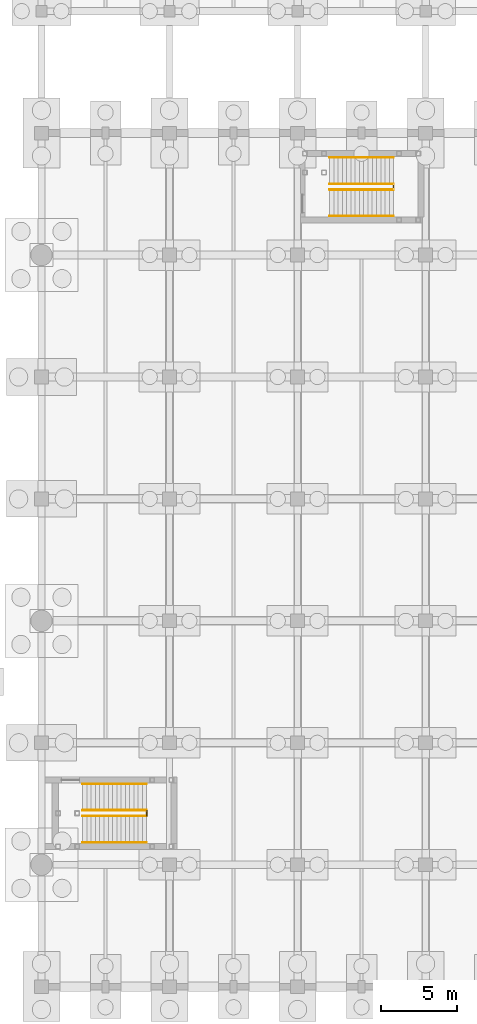
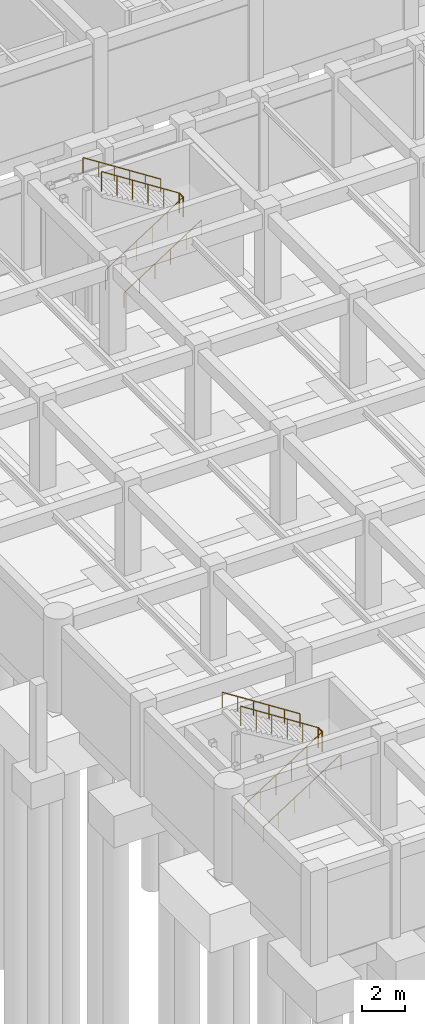
# One storey, part 49 of 56: 10 railings.
"""IFC4 building model written with IfcOpenShell, lengths in metres."""

from ifc_helpers import new_model, si_unit, direction, frame, origin, origin_2d, place, context, subcontext, project, spatial, circle, extrude, material, layer, layer_set, type_object, element, save


model = new_model("IFC4")

# Units and contexts
model_context = context("Model", 3, precision=1e-05, world=origin(), true_north=direction((0.0, 1.0)))
body_context = subcontext(model_context, "Body", "Model", "MODEL_VIEW")
ifc_project = project(units=[si_unit("LENGTHUNIT", "METRE"), si_unit("AREAUNIT", "SQUARE_METRE"), si_unit("VOLUMEUNIT", "CUBIC_METRE"), si_unit("PLANEANGLEUNIT", "RADIAN"), si_unit("MASSUNIT", "GRAM", prefix="KILO")], contexts=[model_context])

# Site, building, storey
site_placement = place(None, origin())
site = spatial("IfcSite", under=ifc_project, at=site_placement, CompositionType="ELEMENT")
building_placement = place(site_placement, origin())
building = spatial("IfcBuilding", under=site, at=building_placement, Name="Naruveol Harbour Congress Hotel", CompositionType="ELEMENT")
storey_placement = place(building_placement, frame((0.0, 0.0, -5.39990234375)))
storey = spatial("IfcBuildingStorey", under=building, at=storey_placement, Name="B01", CompositionType="ELEMENT", Elevation=-5.39990234375)

# Railings
ifc_material_1 = material(Name="Stainless Steel 304", Category="steel")
ifc_layer_1 = layer(ifc_material_1, 0.0419921875)
ifc_layer_set_1 = layer_set([ifc_layer_1], Name="Stainless Steel 304")
railing_type_1 = type_object("IfcRailingType", Name="STAIR WALL MOUNTED HANDRAIL 900", PredefinedType="HANDRAIL", material=ifc_layer_set_1)
railing_1_placement = place(storey_placement, frame((2.699951171875, 9.4599609375, 0.0)))
element("IfcRailing", 1, at=railing_1_placement, inside=storey, type_object=railing_type_1, Name="Stair ST5 B01 lower wall handrail", PredefinedType="HANDRAIL", context=body_context, shape_type="SweptSolid", body=[
    extrude(circle(Radius=0.02392578125, at=origin_2d()), frame((0.0, 0.0, 0.8759765625), z_axis=(0.841180064094, 0.0, 0.540755119968), x_axis=(0.0, 1.0, 0.0)), (0.0, 0.0, 1.0), 4.992919921875),
    extrude(circle(Radius=0.02099609375, at=origin_2d()), origin(), (0.0, 0.0, 1.0), 0.851806640625),
    extrude(circle(Radius=0.02099609375, at=origin_2d()), frame((0.840087890625, 0.0, 0.5400390625)), (0.0, 0.0, 1.0), 0.851806640625),
    extrude(circle(Radius=0.02099609375, at=origin_2d()), frame((1.679931640625, 0.0, 1.080078125)), (0.0, 0.0, 1.0), 0.851806640625),
    extrude(circle(Radius=0.02099609375, at=origin_2d()), frame((2.52001953125, 0.0, 1.619873046875)), (0.0, 0.0, 1.0), 0.851806640625),
    extrude(circle(Radius=0.02099609375, at=origin_2d()), frame((3.35986328125, 0.0, 2.159912109375)), (0.0, 0.0, 1.0), 0.851806640625),
    extrude(circle(Radius=0.02099609375, at=origin_2d()), frame((4.199951171875, 0.0, 2.699951171875)), (0.0, 0.0, 1.0), 0.851806640625),
])
railing_2_placement = place(storey_placement, frame((6.89990234375, 13.300048828125, 2.699951171875)))
element("IfcRailing", 2, at=railing_2_placement, inside=storey, type_object=railing_type_1, Name="Stair ST5 B01 upper wall handrail", PredefinedType="HANDRAIL", context=body_context, shape_type="SweptSolid", body=[
    extrude(circle(Radius=0.02392578125, at=origin_2d()), frame((0.0, 0.0, 0.8759765625), z_axis=(-0.841180064094, 0.0, 0.540755119968), x_axis=(0.0, -1.0, 0.0)), (0.0, 0.0, 1.0), 4.992919921875),
    extrude(circle(Radius=0.02099609375, at=origin_2d()), origin(), (0.0, 0.0, 1.0), 0.851806640625),
    extrude(circle(Radius=0.02099609375, at=origin_2d()), frame((-0.840087890625, 0.0, 0.5400390625)), (0.0, 0.0, 1.0), 0.851806640625),
    extrude(circle(Radius=0.02099609375, at=origin_2d()), frame((-1.679931640625, 0.0, 1.080078125)), (0.0, 0.0, 1.0), 0.851806640625),
    extrude(circle(Radius=0.02099609375, at=origin_2d()), frame((-2.52001953125, 0.0, 1.619873046875)), (0.0, 0.0, 1.0), 0.851806640625),
    extrude(circle(Radius=0.02099609375, at=origin_2d()), frame((-3.35986328125, 0.0, 2.159912109375)), (0.0, 0.0, 1.0), 0.851806640625),
    extrude(circle(Radius=0.02099609375, at=origin_2d()), frame((-4.199951171875, 0.0, 2.699951171875)), (0.0, 0.0, 1.0), 0.851806640625),
])
railing_3_placement = place(storey_placement, frame((18.89990234375, 50.56005859375, 0.0)))
element("IfcRailing", 3, at=railing_3_placement, inside=storey, type_object=railing_type_1, Name="Stair ST6 B01 lower wall handrail", PredefinedType="HANDRAIL", context=body_context, shape_type="SweptSolid", body=[
    extrude(circle(Radius=0.02392578125, at=origin_2d()), frame((0.0, 0.0, 0.8759765625), z_axis=(0.841194361566, 0.0, 0.540732878665), x_axis=(0.0, 1.0, 0.0)), (0.0, 0.0, 1.0), 4.9931640625),
    extrude(circle(Radius=0.02099609375, at=origin_2d()), origin(), (0.0, 0.0, 1.0), 0.851806640625),
    extrude(circle(Radius=0.02099609375, at=origin_2d()), frame((0.840087890625, 0.0, 0.5400390625)), (0.0, 0.0, 1.0), 0.851806640625),
    extrude(circle(Radius=0.02099609375, at=origin_2d()), frame((1.68017578125, 0.0, 1.080078125)), (0.0, 0.0, 1.0), 0.851806640625),
    extrude(circle(Radius=0.02099609375, at=origin_2d()), frame((2.52001953125, 0.0, 1.619873046875)), (0.0, 0.0, 1.0), 0.851806640625),
    extrude(circle(Radius=0.02099609375, at=origin_2d()), frame((3.360107421875, 0.0, 2.159912109375)), (0.0, 0.0, 1.0), 0.851806640625),
    extrude(circle(Radius=0.02099609375, at=origin_2d()), frame((4.2001953125, 0.0, 2.699951171875)), (0.0, 0.0, 1.0), 0.851806640625),
])
railing_4_placement = place(storey_placement, frame((23.10009765625, 54.39990234375, 2.699951171875)))
element("IfcRailing", 4, at=railing_4_placement, inside=storey, type_object=railing_type_1, Name="Stair ST6 B01 upper wall handrail", PredefinedType="HANDRAIL", context=body_context, shape_type="SweptSolid", body=[
    extrude(circle(Radius=0.02392578125, at=origin_2d()), frame((0.0, 0.0, 0.8759765625), z_axis=(-0.841194361566, 0.0, 0.540732878665), x_axis=(0.0, -1.0, 0.0)), (0.0, 0.0, 1.0), 4.9931640625),
    extrude(circle(Radius=0.02099609375, at=origin_2d()), origin(), (0.0, 0.0, 1.0), 0.851806640625),
    extrude(circle(Radius=0.02099609375, at=origin_2d()), frame((-0.840087890625, 0.0, 0.5400390625)), (0.0, 0.0, 1.0), 0.851806640625),
    extrude(circle(Radius=0.02099609375, at=origin_2d()), frame((-1.68017578125, 0.0, 1.080078125)), (0.0, 0.0, 1.0), 0.851806640625),
    extrude(circle(Radius=0.02099609375, at=origin_2d()), frame((-2.52001953125, 0.0, 1.619873046875)), (0.0, 0.0, 1.0), 0.851806640625),
    extrude(circle(Radius=0.02099609375, at=origin_2d()), frame((-3.360107421875, 0.0, 2.159912109375)), (0.0, 0.0, 1.0), 0.851806640625),
    extrude(circle(Radius=0.02099609375, at=origin_2d()), frame((-4.2001953125, 0.0, 2.699951171875)), (0.0, 0.0, 1.0), 0.851806640625),
])
ifc_material_2 = material(Name="Steel SN490", Category="steel")
ifc_layer_2 = layer(ifc_material_2, 0.044921875)
ifc_layer_set_2 = layer_set([ifc_layer_2], Name="Steel SN490")
railing_type_2 = type_object("IfcRailingType", Name="STAIRWELL STEEL GUARDRAIL 1150", PredefinedType="GUARDRAIL", material=ifc_layer_set_2)
railing_5_placement = place(storey_placement, frame((2.699951171875, 11.18994140625, 0.0)))
element("IfcRailing", 5, at=railing_5_placement, inside=storey, type_object=railing_type_2, Name="Stair ST5 B01 lower well guard", PredefinedType="GUARDRAIL", context=body_context, shape_type="SweptSolid", body=[
    extrude(circle(Radius=0.02392578125, at=origin_2d()), frame((0.0, 0.0, 1.1259765625), z_axis=(0.841180064094, 0.0, 0.540755119968), x_axis=(0.0, 1.0, 0.0)), (0.0, 0.0, 1.0), 4.992919921875),
    extrude(circle(Radius=0.02099609375, at=origin_2d()), origin(), (0.0, 0.0, 1.0), 1.101806640625),
    extrude(circle(Radius=0.02099609375, at=origin_2d()), frame((0.840087890625, 0.0, 0.5400390625)), (0.0, 0.0, 1.0), 1.101806640625),
    extrude(circle(Radius=0.02099609375, at=origin_2d()), frame((1.679931640625, 0.0, 1.080078125)), (0.0, 0.0, 1.0), 1.101806640625),
    extrude(circle(Radius=0.02099609375, at=origin_2d()), frame((2.52001953125, 0.0, 1.619873046875)), (0.0, 0.0, 1.0), 1.101806640625),
    extrude(circle(Radius=0.02099609375, at=origin_2d()), frame((3.35986328125, 0.0, 2.159912109375)), (0.0, 0.0, 1.0), 1.101806640625),
    extrude(circle(Radius=0.02099609375, at=origin_2d()), frame((4.199951171875, 0.0, 2.699951171875)), (0.0, 0.0, 1.0), 1.101806640625),
])
railing_6_placement = place(storey_placement, frame((6.89990234375, 11.18994140625, 2.699951171875)))
element("IfcRailing", 6, at=railing_6_placement, inside=storey, type_object=railing_type_2, Name="Stair ST5 B01 half-landing slot guard", PredefinedType="GUARDRAIL", context=body_context, shape_type="SweptSolid", body=[
    extrude(circle(Radius=0.02392578125, at=origin_2d()), frame((0.0, 0.0, 1.1259765625), z_axis=(0.0, 1.0, 0.0), x_axis=(-1.0, 0.0, 0.0)), (0.0, 0.0, 1.0), 0.380126953125),
    extrude(circle(Radius=0.02099609375, at=origin_2d()), origin(), (0.0, 0.0, 1.0), 1.101806640625),
    extrude(circle(Radius=0.02099609375, at=origin_2d()), frame((0.0, 0.380126953125, 0.0)), (0.0, 0.0, 1.0), 1.101806640625),
])
railing_7_placement = place(storey_placement, frame((6.89990234375, 11.570068359375, 2.699951171875)))
element("IfcRailing", 7, at=railing_7_placement, inside=storey, type_object=railing_type_2, Name="Stair ST5 B01 upper well guard", PredefinedType="GUARDRAIL", context=body_context, shape_type="SweptSolid", body=[
    extrude(circle(Radius=0.02392578125, at=origin_2d()), frame((0.0, 0.0, 1.1259765625), z_axis=(-0.841180064094, 0.0, 0.540755119968), x_axis=(0.0, -1.0, 0.0)), (0.0, 0.0, 1.0), 4.992919921875),
    extrude(circle(Radius=0.02099609375, at=origin_2d()), origin(), (0.0, 0.0, 1.0), 1.101806640625),
    extrude(circle(Radius=0.02099609375, at=origin_2d()), frame((-0.840087890625, 0.0, 0.5400390625)), (0.0, 0.0, 1.0), 1.101806640625),
    extrude(circle(Radius=0.02099609375, at=origin_2d()), frame((-1.679931640625, 0.0, 1.080078125)), (0.0, 0.0, 1.0), 1.101806640625),
    extrude(circle(Radius=0.02099609375, at=origin_2d()), frame((-2.52001953125, 0.0, 1.619873046875)), (0.0, 0.0, 1.0), 1.101806640625),
    extrude(circle(Radius=0.02099609375, at=origin_2d()), frame((-3.35986328125, 0.0, 2.159912109375)), (0.0, 0.0, 1.0), 1.101806640625),
    extrude(circle(Radius=0.02099609375, at=origin_2d()), frame((-4.199951171875, 0.0, 2.699951171875)), (0.0, 0.0, 1.0), 1.101806640625),
])
railing_8_placement = place(storey_placement, frame((18.89990234375, 52.2900390625, 0.0)))
element("IfcRailing", 8, at=railing_8_placement, inside=storey, type_object=railing_type_2, Name="Stair ST6 B01 lower well guard", PredefinedType="GUARDRAIL", context=body_context, shape_type="SweptSolid", body=[
    extrude(circle(Radius=0.02392578125, at=origin_2d()), frame((0.0, 0.0, 1.1259765625), z_axis=(0.841194361566, 0.0, 0.540732878665), x_axis=(0.0, 1.0, 0.0)), (0.0, 0.0, 1.0), 4.9931640625),
    extrude(circle(Radius=0.02099609375, at=origin_2d()), origin(), (0.0, 0.0, 1.0), 1.101806640625),
    extrude(circle(Radius=0.02099609375, at=origin_2d()), frame((0.840087890625, 0.0, 0.5400390625)), (0.0, 0.0, 1.0), 1.101806640625),
    extrude(circle(Radius=0.02099609375, at=origin_2d()), frame((1.68017578125, 0.0, 1.080078125)), (0.0, 0.0, 1.0), 1.101806640625),
    extrude(circle(Radius=0.02099609375, at=origin_2d()), frame((2.52001953125, 0.0, 1.619873046875)), (0.0, 0.0, 1.0), 1.101806640625),
    extrude(circle(Radius=0.02099609375, at=origin_2d()), frame((3.360107421875, 0.0, 2.159912109375)), (0.0, 0.0, 1.0), 1.101806640625),
    extrude(circle(Radius=0.02099609375, at=origin_2d()), frame((4.2001953125, 0.0, 2.699951171875)), (0.0, 0.0, 1.0), 1.101806640625),
])
railing_9_placement = place(storey_placement, frame((23.10009765625, 52.2900390625, 2.699951171875)))
element("IfcRailing", 9, at=railing_9_placement, inside=storey, type_object=railing_type_2, Name="Stair ST6 B01 half-landing slot guard", PredefinedType="GUARDRAIL", context=body_context, shape_type="SweptSolid", body=[
    extrude(circle(Radius=0.02392578125, at=origin_2d()), frame((0.0, 0.0, 1.1259765625), z_axis=(0.0, 1.0, 0.0), x_axis=(-1.0, 0.0, 0.0)), (0.0, 0.0, 1.0), 0.3798828125),
    extrude(circle(Radius=0.02099609375, at=origin_2d()), origin(), (0.0, 0.0, 1.0), 1.101806640625),
    extrude(circle(Radius=0.02099609375, at=origin_2d()), frame((0.0, 0.3798828125, 0.0)), (0.0, 0.0, 1.0), 1.101806640625),
])
railing_10_placement = place(storey_placement, frame((23.10009765625, 52.669921875, 2.699951171875)))
element("IfcRailing", 10, at=railing_10_placement, inside=storey, type_object=railing_type_2, Name="Stair ST6 B01 upper well guard", PredefinedType="GUARDRAIL", context=body_context, shape_type="SweptSolid", body=[
    extrude(circle(Radius=0.02392578125, at=origin_2d()), frame((0.0, 0.0, 1.1259765625), z_axis=(-0.841194361566, 0.0, 0.540732878665), x_axis=(0.0, -1.0, 0.0)), (0.0, 0.0, 1.0), 4.9931640625),
    extrude(circle(Radius=0.02099609375, at=origin_2d()), origin(), (0.0, 0.0, 1.0), 1.101806640625),
    extrude(circle(Radius=0.02099609375, at=origin_2d()), frame((-0.840087890625, 0.0, 0.5400390625)), (0.0, 0.0, 1.0), 1.101806640625),
    extrude(circle(Radius=0.02099609375, at=origin_2d()), frame((-1.68017578125, 0.0, 1.080078125)), (0.0, 0.0, 1.0), 1.101806640625),
    extrude(circle(Radius=0.02099609375, at=origin_2d()), frame((-2.52001953125, 0.0, 1.619873046875)), (0.0, 0.0, 1.0), 1.101806640625),
    extrude(circle(Radius=0.02099609375, at=origin_2d()), frame((-3.360107421875, 0.0, 2.159912109375)), (0.0, 0.0, 1.0), 1.101806640625),
    extrude(circle(Radius=0.02099609375, at=origin_2d()), frame((-4.2001953125, 0.0, 2.699951171875)), (0.0, 0.0, 1.0), 1.101806640625),
])

save(model, "model.ifc")
